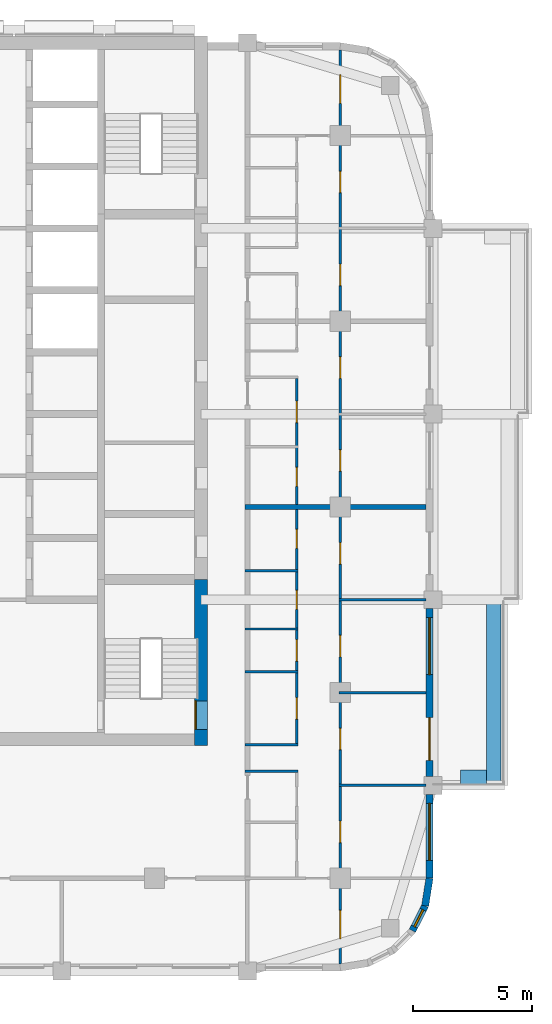
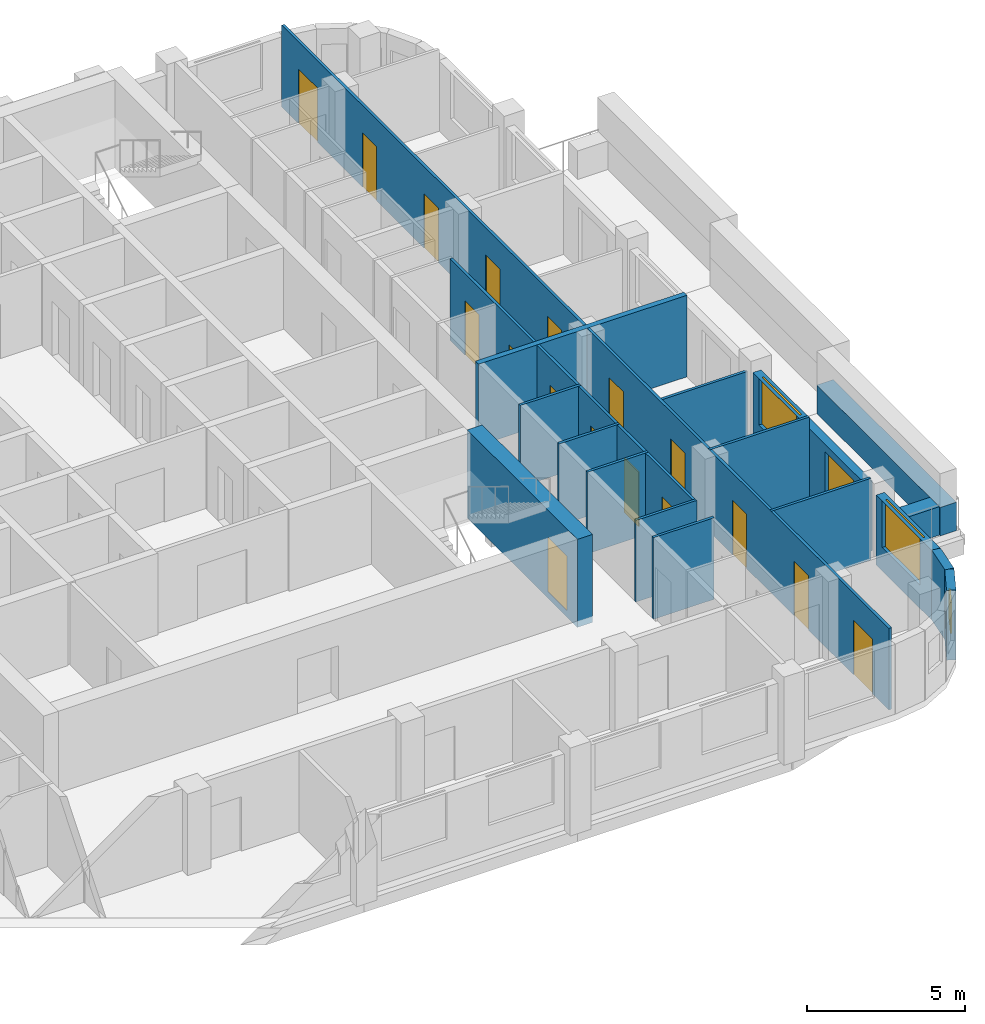
# One storey, part 6 of 13: 18 doors, 18 walls, 3 windows, 21 openings.
"""IFC4 building model written with IfcOpenShell, lengths in metres."""

from ifc_helpers import new_model, si_unit, direction, frame, frame_2d, origin, place, context, subcontext, project, spatial, rectangle, extrude, material, layer, layer_set, type_object, element, fill, save


model = new_model("IFC4")

# Units and contexts
model_context = context("Model", 3, precision=1e-05, world=origin(), true_north=direction((0.0, 1.0)))
body_context = subcontext(model_context, "Body", "Model", "MODEL_VIEW")
ifc_project = project(units=[si_unit("LENGTHUNIT", "METRE"), si_unit("AREAUNIT", "SQUARE_METRE"), si_unit("VOLUMEUNIT", "CUBIC_METRE"), si_unit("PLANEANGLEUNIT", "RADIAN"), si_unit("MASSUNIT", "GRAM", prefix="KILO")], contexts=[model_context])

# Site, building, storey
site_placement = place(None, origin())
site = spatial("IfcSite", under=ifc_project, at=site_placement, CompositionType="ELEMENT")
building_placement = place(site_placement, origin())
building = spatial("IfcBuilding", under=site, at=building_placement, Name="Ludao Terraces", CompositionType="ELEMENT")
storey_placement = place(building_placement, frame((0.0, 0.0, 152.0)))
storey = spatial("IfcBuildingStorey", under=building, at=storey_placement, Name="L41", CompositionType="ELEMENT", Elevation=152.0)

# Wall, opening, door
ifc_material_1 = material(Name="Concrete C60", Category="concrete")
ifc_layer_1 = layer(ifc_material_1, 0.550048828125)
ifc_layer_set_1 = layer_set([ifc_layer_1], Name="Core wall 550 C60")
wall_type_1 = type_object("IfcWallType", Name="Core wall 550 C60", PredefinedType="SOLIDWALL", material=ifc_layer_set_1)
wall_1_placement = place(storey_placement, frame((94.75, 54.97509765625, -0.25), z_axis=(0.0, 0.0, 1.0), x_axis=(0.0, 1.0, 0.0)))
wall_1 = element("IfcWall", 1, at=wall_1_placement, inside=storey, type_object=wall_type_1, Name="Core wall L41 outer-E-S3", PredefinedType="SOLIDWALL", context=body_context, shape_type="SweptSolid", body=[
    extrude(rectangle(XDim=6.974853515625, YDim=0.550048828125, at=frame_2d((3.4873046875, 0.0))), origin(), (0.0, 0.0, 1.0), 3.39990234375),
])
opening_1_placement = place(wall_1_placement, frame((0.675048828125, 0.0, 0.25)))
opening_1 = element("IfcOpeningElement", 2, at=opening_1_placement, cuts=wall_1, Name="Opening R14-019", PredefinedType="OPENING", context=body_context, shape_type="SweptSolid", body=[
    extrude(rectangle(XDim=1.199951171875, YDim=2.10009765625, at=frame_2d((0.60009765625, 1.050048828125))), frame((0.0, 0.28515625, 0.0), z_axis=(0.0, -1.0, 0.0), x_axis=(1.0, 0.0, 0.0)), (0.0, 0.0, 1.0), 0.570068359375),
])
ifc_material_2 = material(Name="Steel Q235", Category="steel")
door_type_1 = type_object("IfcDoorType", Name="INT Stair door 1200", OperationType="DOUBLE_DOOR_SINGLE_SWING", PredefinedType="DOOR", material=ifc_material_2)
door_1_placement = place(opening_1_placement, origin())
door_1 = element("IfcDoor", 3, at=door_1_placement, inside=storey, type_object=door_type_1, Name="DOOR 019", OperationType="DOUBLE_DOOR_SINGLE_SWING", OverallHeight=2.10009765625, OverallWidth=1.199951171875, PredefinedType="DOOR", context=body_context, shape_type="SweptSolid", body=[
    extrude(rectangle(XDim=1.199951171875, YDim=2.10009765625, at=frame_2d((0.60009765625, 1.050048828125))), frame((0.0, 0.26025390625, 0.0), z_axis=(0.0, -1.0, 0.0), x_axis=(1.0, 0.0, 0.0)), (0.0, 0.0, 1.0), 0.050048828125),
])
fill(opening_1, door_1)

# Walls
ifc_material_3 = material(Name="Concrete C40", Category="concrete")
ifc_layer_2 = layer(ifc_material_3, 0.60009765625)
ifc_layer_set_2 = layer_set([ifc_layer_2], Name="ENV Planter trough 600")
wall_type_2 = type_object("IfcWallType", Name="ENV Planter trough 600", PredefinedType="USERDEFINED", material=ifc_layer_set_2)
wall_2_placement = place(storey_placement, frame((107.050048828125, 53.300048828125, 0.0), z_axis=(0.0, 0.0, 1.0), x_axis=(0.0, 1.0, 0.0)))
element("IfcWall", 4, at=wall_2_placement, inside=storey, type_object=wall_type_2, Name="PL-L41-E1", ObjectType="PLANTER", PredefinedType="USERDEFINED", context=body_context, shape_type="SweptSolid", body=[
    extrude(rectangle(XDim=7.800048828125, YDim=0.60009765625, at=frame_2d((3.89990234375, 0.0))), origin(), (0.0, 0.0, 1.0), 1.10009765625),
])
wall_3_placement = place(storey_placement, frame((106.75, 53.64990234375, 0.0), z_axis=(0.0, 0.0, 1.0), x_axis=(-1.0, 0.0, 0.0)))
element("IfcWall", 5, at=wall_3_placement, inside=storey, type_object=wall_type_2, Name="PL-L41-E1-SA", ObjectType="PLANTER", PredefinedType="USERDEFINED", context=body_context, shape_type="SweptSolid", body=[
    extrude(rectangle(XDim=1.10009765625, YDim=0.60009765625, at=frame_2d((0.550048828125, 0.0))), origin(), (0.0, 0.0, 1.0), 1.10009765625),
])

# Wall, opening, window
ifc_material_4 = material(Name="Granite cladding", Category="masonry")
ifc_layer_3 = layer(ifc_material_4, 0.0400390625, Category="stone")
ifc_material_5 = material(Name="Mineral wool")
ifc_layer_4 = layer(ifc_material_5, 0.06005859375)
ifc_layer_5 = layer(ifc_material_3, 0.199951171875, Category="concrete")
ifc_layer_set_3 = layer_set([ifc_layer_3, ifc_layer_4, ifc_layer_5], Name="ENV Stone-clad wall 300")
wall_type_3 = type_object("IfcWallType", Name="ENV Stone-clad wall 300", PredefinedType="SOLIDWALL", material=ifc_layer_set_3)
wall_4_placement = place(storey_placement, frame((104.35009765625, 49.39990234375, 0.0), z_axis=(0.0, 0.0, 1.0), x_axis=(0.0, 1.0, 0.0)))
wall_4 = element("IfcWall", 6, at=wall_4_placement, inside=storey, type_object=wall_type_3, Name="EW-L41-E1", PredefinedType="SOLIDWALL", context=body_context, shape_type="SweptSolid", body=[
    extrude(rectangle(XDim=3.525146484375, YDim=0.300048828125, at=frame_2d((1.7626953125, 0.0))), origin(), (0.0, 0.0, 1.0), 2.699951171875),
])
opening_2_placement = place(wall_4_placement, frame((0.75, 0.0, 0.89990234375)))
opening_2 = element("IfcOpeningElement", 7, at=opening_2_placement, cuts=wall_4, Name="Opening W1", PredefinedType="OPENING", context=body_context, shape_type="SweptSolid", body=[
    extrude(rectangle(XDim=2.39990234375, YDim=1.800048828125, at=frame_2d((1.199951171875, 0.89990234375))), frame((0.0, 0.16015625, 0.0), z_axis=(0.0, -1.0, 0.0), x_axis=(1.0, 0.0, 0.0)), (0.0, 0.0, 1.0), 0.320068359375),
])
ifc_material_6 = material(Name="Clear glass in aluminium frame", Category="aluminium")
ifc_layer_6 = layer(ifc_material_6, 0.06005859375)
ifc_layer_set_4 = layer_set([ifc_layer_6], Name="ENV Window W1 2400x1800")
window_type_1 = type_object("IfcWindowType", Name="ENV Window W1 2400x1800", PartitioningType="DOUBLE_PANEL_VERTICAL", PredefinedType="WINDOW", material=ifc_layer_set_4)
window_1_placement = place(opening_2_placement, origin())
window_1 = element("IfcWindow", 8, at=window_1_placement, inside=storey, type_object=window_type_1, Name="W-L41-E1-1", OverallHeight=1.800048828125, OverallWidth=2.39990234375, PartitioningType="DOUBLE_PANEL_VERTICAL", PredefinedType="WINDOW", context=body_context, shape_type="SweptSolid", body=[
    extrude(rectangle(XDim=2.39990234375, YDim=1.800048828125, at=frame_2d((1.199951171875, 0.89990234375))), frame((0.0, 0.030029296875, 0.0), z_axis=(0.0, -1.0, 0.0), x_axis=(1.0, 0.0, 0.0)), (0.0, 0.0, 1.0), 0.06005859375),
])
fill(opening_2, window_1)

# Wall, openings, door, window
wall_5_placement = place(storey_placement, frame((104.35009765625, 53.675048828125, 0.0), z_axis=(0.0, 0.0, 1.0), x_axis=(0.0, 1.0, 0.0)))
wall_5 = element("IfcWall", 9, at=wall_5_placement, inside=storey, type_object=wall_type_3, Name="EW-L41-E2", PredefinedType="SOLIDWALL", context=body_context, shape_type="SweptSolid", body=[
    extrude(rectangle(XDim=7.050048828125, YDim=0.300048828125, at=frame_2d((3.52490234375, 0.0))), origin(), (0.0, 0.0, 1.0), 2.699951171875),
])
opening_3_placement = place(wall_5_placement, frame((0.675048828125, 0.0, 0.0)))
opening_3 = element("IfcOpeningElement", 10, at=opening_3_placement, cuts=wall_5, Name="Opening BD", PredefinedType="OPENING", context=body_context, shape_type="SweptSolid", body=[
    extrude(rectangle(XDim=1.800048828125, YDim=2.39990234375, at=frame_2d((0.89990234375, 1.199951171875))), frame((0.0, 0.16015625, 0.0), z_axis=(0.0, -1.0, 0.0), x_axis=(1.0, 0.0, 0.0)), (0.0, 0.0, 1.0), 0.320068359375),
])
opening_4_placement = place(wall_5_placement, frame((4.27490234375, 0.0, 0.89990234375)))
opening_4 = element("IfcOpeningElement", 11, at=opening_4_placement, cuts=wall_5, Name="Opening W1", PredefinedType="OPENING", context=body_context, shape_type="SweptSolid", body=[
    extrude(rectangle(XDim=2.39990234375, YDim=1.800048828125, at=frame_2d((1.199951171875, 0.89990234375))), frame((0.0, 0.16015625, 0.0), z_axis=(0.0, -1.0, 0.0), x_axis=(1.0, 0.0, 0.0)), (0.0, 0.0, 1.0), 0.320068359375),
])
ifc_material_7 = material(Name="Aluminium glazed door", Category="aluminium")
ifc_layer_7 = layer(ifc_material_7, 0.06005859375)
ifc_layer_set_5 = layer_set([ifc_layer_7], Name="ENV Balcony door BD 1800x2400")
door_type_2 = type_object("IfcDoorType", Name="ENV Balcony door BD 1800x2400", OperationType="DOUBLE_DOOR_SINGLE_SWING", PredefinedType="DOOR", material=ifc_layer_set_5)
door_2_placement = place(opening_3_placement, origin())
door_2 = element("IfcDoor", 12, at=door_2_placement, inside=storey, type_object=door_type_2, Name="BD-L41-E2-1", OperationType="DOUBLE_DOOR_SINGLE_SWING", OverallHeight=2.39990234375, OverallWidth=1.800048828125, PredefinedType="DOOR", context=body_context, shape_type="SweptSolid", body=[
    extrude(rectangle(XDim=1.800048828125, YDim=2.39990234375, at=frame_2d((0.89990234375, 1.199951171875))), frame((0.0, 0.02490234375, 0.0), z_axis=(0.0, -1.0, 0.0), x_axis=(1.0, 0.0, 0.0)), (0.0, 0.0, 1.0), 0.050048828125),
])
fill(opening_3, door_2)
window_2_placement = place(opening_4_placement, origin())
window_2 = element("IfcWindow", 13, at=window_2_placement, inside=storey, type_object=window_type_1, Name="W-L41-E2-2", OverallHeight=1.800048828125, OverallWidth=2.39990234375, PartitioningType="DOUBLE_PANEL_VERTICAL", PredefinedType="WINDOW", context=body_context, shape_type="SweptSolid", body=[
    extrude(rectangle(XDim=2.39990234375, YDim=1.800048828125, at=frame_2d((1.199951171875, 0.89990234375))), frame((0.0, 0.030029296875, 0.0), z_axis=(0.0, -1.0, 0.0), x_axis=(1.0, 0.0, 0.0)), (0.0, 0.0, 1.0), 0.06005859375),
])
fill(opening_4, window_2)

# Wall, opening, window
wall_6_placement = place(storey_placement, frame((103.6337890625, 47.19580078125, 0.0), z_axis=(0.0, 0.0, 1.0), x_axis=(0.454025524128, 0.890988677504, 0.0)))
wall_6 = element("IfcWall", 14, at=wall_6_placement, inside=storey, type_object=wall_type_3, Name="EW-L41-SE4", PredefinedType="SOLIDWALL", context=body_context, shape_type="SweptSolid", body=[
    extrude(rectangle(XDim=1.17333984375, YDim=0.300048828125, at=frame_2d((0.586669921875, 0.0))), origin(), (0.0, 0.0, 1.0), 2.699951171875),
])
opening_5_placement = place(wall_6_placement, frame((0.1865234375, 0.0, 0.89990234375)))
opening_5 = element("IfcOpeningElement", 15, at=opening_5_placement, cuts=wall_6, Name="Opening W3", PredefinedType="OPENING", context=body_context, shape_type="SweptSolid", body=[
    extrude(rectangle(XDim=0.800048828125, YDim=1.199951171875, at=frame_2d((0.39990234375, 0.60009765625))), frame((0.0, 0.16015625, 0.0), z_axis=(0.0, -1.0, 0.0), x_axis=(1.0, 0.0, 0.0)), (0.0, 0.0, 1.0), 0.320068359375),
])
ifc_layer_8 = layer(ifc_material_6, 0.06005859375)
ifc_layer_set_6 = layer_set([ifc_layer_8], Name="ENV Window W3 800x1200")
window_type_2 = type_object("IfcWindowType", Name="ENV Window W3 800x1200", PartitioningType="SINGLE_PANEL", PredefinedType="WINDOW", material=ifc_layer_set_6)
window_3_placement = place(opening_5_placement, origin())
window_3 = element("IfcWindow", 16, at=window_3_placement, inside=storey, type_object=window_type_2, Name="W-L41-SE4", OverallHeight=1.199951171875, OverallWidth=0.800048828125, PartitioningType="SINGLE_PANEL", PredefinedType="WINDOW", context=body_context, shape_type="SweptSolid", body=[
    extrude(rectangle(XDim=0.800048828125, YDim=1.199951171875, at=frame_2d((0.39990234375, 0.60009765625))), frame((0.0, 0.030029296875, 0.0), z_axis=(0.0, -1.0, 0.0), x_axis=(1.0, 0.0, 0.0)), (0.0, 0.0, 1.0), 0.06005859375),
])
fill(opening_5, window_3)

# Walls
wall_7_placement = place(storey_placement, frame((104.16650390625, 48.2412109375, 0.0), z_axis=(0.0, 0.0, 1.0), x_axis=(0.156496880861, 0.987678452879, 0.0)))
element("IfcWall", 17, at=wall_7_placement, inside=storey, type_object=wall_type_3, Name="EW-L41-SE5", PredefinedType="SOLIDWALL", context=body_context, shape_type="SweptSolid", body=[
    extrude(rectangle(XDim=1.173095703125, YDim=0.300048828125, at=frame_2d((0.58642578125, 0.0))), origin(), (0.0, 0.0, 1.0), 2.699951171875),
])
ifc_material_8 = material(Name="Gypsum plasterboard", Category="gypsum")
ifc_layer_9 = layer(ifc_material_8, 0.012451171875, Category="gypsum")
ifc_layer_10 = layer(ifc_material_5, 0.06005859375, Name="insulation")
ifc_layer_11 = layer(ifc_material_2, 0.014892578125, Name="stud")
ifc_layer_12 = layer(ifc_material_8, 0.012451171875, Category="gypsum")
ifc_layer_set_7 = layer_set([ifc_layer_9, ifc_layer_10, ifc_layer_11, ifc_layer_12], Name="INT Partition 100")
wall_type_4 = type_object("IfcWallType", Name="INT Partition 100", PredefinedType="PARTITIONING", material=ifc_layer_set_7)
wall_8_placement = place(storey_placement, frame((100.550048828125, 53.300048828125, 0.0), z_axis=(0.0, 0.0, 1.0), x_axis=(1.0, 0.0, 0.0)))
element("IfcWall", 18, at=wall_8_placement, inside=storey, type_object=wall_type_4, Name="PW-L41-PW005", PredefinedType="PARTITIONING", context=body_context, shape_type="SweptSolid", body=[
    extrude(rectangle(XDim=3.650146484375, YDim=0.10009765625, at=frame_2d((1.8251953125, 0.0))), origin(), (0.0, 0.0, 1.0), 3.14990234375),
])
for number, where, z_axis, x_axis, name in (
    (19, (96.60009765625, 53.89990234375, 0.0), (0.0, 0.0, 1.0), (1.0, 0.0, 0.0), "PW-L41-PW007"),
    (20, (96.60009765625, 55.0, 0.0), (0.0, 0.0, 1.0), (1.0, 0.0, 0.0), "PW-L41-PW008"),
):
    element("IfcWall", number, at=place(storey_placement, frame(where, z_axis=z_axis, x_axis=x_axis)), inside=storey, type_object=wall_type_4, Name=name, PredefinedType="PARTITIONING", context=body_context, shape_type="SweptSolid", body=[
        extrude(rectangle(XDim=2.219970703125, YDim=0.10009765625, at=frame_2d((1.10986328125, 0.0))), origin(), (0.0, 0.0, 1.0), 3.14990234375),
    ])
wall_9_placement = place(storey_placement, frame((100.550048828125, 57.199951171875, 0.0), z_axis=(0.0, 0.0, 1.0), x_axis=(1.0, 0.0, 0.0)))
element("IfcWall", 21, at=wall_9_placement, inside=storey, type_object=wall_type_4, Name="PW-L41-PW011", PredefinedType="PARTITIONING", context=body_context, shape_type="SweptSolid", body=[
    extrude(rectangle(XDim=3.650146484375, YDim=0.10009765625, at=frame_2d((1.8251953125, 0.0))), origin(), (0.0, 0.0, 1.0), 3.14990234375),
])
for number, where, z_axis, x_axis, name in (
    (22, (96.60009765625, 58.070068359375, 0.0), (0.0, 0.0, 1.0), (1.0, 0.0, 0.0), "PW-L41-PW012"),
    (23, (96.60009765625, 59.8701171875, 0.0), (0.0, 0.0, 1.0), (1.0, 0.0, 0.0), "PW-L41-PW015"),
):
    element("IfcWall", number, at=place(storey_placement, frame(where, z_axis=z_axis, x_axis=x_axis)), inside=storey, type_object=wall_type_4, Name=name, PredefinedType="PARTITIONING", context=body_context, shape_type="SweptSolid", body=[
        extrude(rectangle(XDim=2.219970703125, YDim=0.10009765625, at=frame_2d((1.10986328125, 0.0))), origin(), (0.0, 0.0, 1.0), 3.14990234375),
    ])
wall_10_placement = place(storey_placement, frame((100.550048828125, 61.10009765625, 0.0), z_axis=(0.0, 0.0, 1.0), x_axis=(1.0, 0.0, 0.0)))
element("IfcWall", 24, at=wall_10_placement, inside=storey, type_object=wall_type_4, Name="PW-L41-PW018", PredefinedType="PARTITIONING", context=body_context, shape_type="SweptSolid", body=[
    extrude(rectangle(XDim=3.650146484375, YDim=0.10009765625, at=frame_2d((1.8251953125, 0.0))), origin(), (0.0, 0.0, 1.0), 2.550048828125),
])
wall_11_placement = place(storey_placement, frame((96.60009765625, 62.320068359375, 0.0), z_axis=(0.0, 0.0, 1.0), x_axis=(1.0, 0.0, 0.0)))
element("IfcWall", 25, at=wall_11_placement, inside=storey, type_object=wall_type_4, Name="PW-L41-PW019", PredefinedType="PARTITIONING", context=body_context, shape_type="SweptSolid", body=[
    extrude(rectangle(XDim=2.219970703125, YDim=0.10009765625, at=frame_2d((1.10986328125, 0.0))), origin(), (0.0, 0.0, 1.0), 3.14990234375),
])

# Wall, openings, doors
wall_12_placement = place(storey_placement, frame((98.77001953125, 55.050048828125, 0.0), z_axis=(0.0, 0.0, 1.0), x_axis=(0.0, 1.0, 0.0)))
wall_12 = element("IfcWall", 26, at=wall_12_placement, inside=storey, type_object=wall_type_4, Name="PW-L41-PW061", PredefinedType="PARTITIONING", context=body_context, shape_type="SweptSolid", body=[
    extrude(rectangle(XDim=15.35009765625, YDim=0.10009765625, at=frame_2d((7.675048828125, 0.0))), origin(), (0.0, 0.0, 1.0), 3.14990234375),
])
opening_6_placement = place(wall_12_placement, frame((1.034912109375, 0.0, 0.0)))
opening_6 = element("IfcOpeningElement", 27, at=opening_6_placement, cuts=wall_12, Name="Opening R14-020", PredefinedType="OPENING", context=body_context, shape_type="SweptSolid", body=[
    extrude(rectangle(XDim=0.89990234375, YDim=2.10009765625, at=frame_2d((0.449951171875, 1.050048828125))), frame((0.0, 0.06005859375, 0.0), z_axis=(0.0, -1.0, 0.0), x_axis=(1.0, 0.0, 0.0)), (0.0, 0.0, 1.0), 0.1201171875),
])
opening_7_placement = place(wall_12_placement, frame((3.469970703125, 0.0, 0.0)))
opening_7 = element("IfcOpeningElement", 28, at=opening_7_placement, cuts=wall_12, Name="Opening R14-023", PredefinedType="OPENING", context=body_context, shape_type="SweptSolid", body=[
    extrude(rectangle(XDim=0.89990234375, YDim=2.10009765625, at=frame_2d((0.449951171875, 1.050048828125))), frame((0.0, 0.06005859375, 0.0), z_axis=(0.0, -1.0, 0.0), x_axis=(1.0, 0.0, 0.0)), (0.0, 0.0, 1.0), 0.1201171875),
])
opening_8_placement = place(wall_12_placement, frame((5.64501953125, 0.0, 0.0)))
opening_8 = element("IfcOpeningElement", 29, at=opening_8_placement, cuts=wall_12, Name="Opening R14-028", PredefinedType="OPENING", context=body_context, shape_type="SweptSolid", body=[
    extrude(rectangle(XDim=0.800048828125, YDim=2.10009765625, at=frame_2d((0.39990234375, 1.050048828125))), frame((0.0, 0.06005859375, 0.0), z_axis=(0.0, -1.0, 0.0), x_axis=(1.0, 0.0, 0.0)), (0.0, 0.0, 1.0), 0.1201171875),
])
opening_9_placement = place(wall_12_placement, frame((8.2099609375, 0.0, 0.0)))
opening_9 = element("IfcOpeningElement", 30, at=opening_9_placement, cuts=wall_12, Name="Opening R14-037", PredefinedType="OPENING", context=body_context, shape_type="SweptSolid", body=[
    extrude(rectangle(XDim=0.800048828125, YDim=2.10009765625, at=frame_2d((0.39990234375, 1.050048828125))), frame((0.0, 0.06005859375, 0.0), z_axis=(0.0, -1.0, 0.0), x_axis=(1.0, 0.0, 0.0)), (0.0, 0.0, 1.0), 0.1201171875),
])
opening_10_placement = place(wall_12_placement, frame((10.81494140625, 0.0, 0.0)))
opening_10 = element("IfcOpeningElement", 31, at=opening_10_placement, cuts=wall_12, Name="Opening R14-043", PredefinedType="OPENING", context=body_context, shape_type="SweptSolid", body=[
    extrude(rectangle(XDim=0.800048828125, YDim=2.10009765625, at=frame_2d((0.39990234375, 1.050048828125))), frame((0.0, 0.06005859375, 0.0), z_axis=(0.0, -1.0, 0.0), x_axis=(1.0, 0.0, 0.0)), (0.0, 0.0, 1.0), 0.1201171875),
])
opening_11_placement = place(wall_12_placement, frame((13.489990234375, 0.0, 0.0)))
opening_11 = element("IfcOpeningElement", 32, at=opening_11_placement, cuts=wall_12, Name="Opening R14-050", PredefinedType="OPENING", context=body_context, shape_type="SweptSolid", body=[
    extrude(rectangle(XDim=0.89990234375, YDim=2.10009765625, at=frame_2d((0.449951171875, 1.050048828125))), frame((0.0, 0.06005859375, 0.0), z_axis=(0.0, -1.0, 0.0), x_axis=(1.0, 0.0, 0.0)), (0.0, 0.0, 1.0), 0.1201171875),
])
ifc_material_9 = material(Name="Timber door leaf", Category="wood")
door_type_3 = type_object("IfcDoorType", Name="INT Bathroom door 900", OperationType="SINGLE_SWING_LEFT", PredefinedType="DOOR", material=ifc_material_9)
door_3_placement = place(opening_7_placement, origin())
door_3 = element("IfcDoor", 33, at=door_3_placement, inside=storey, type_object=door_type_3, Name="DOOR 023", OperationType="SINGLE_SWING_RIGHT", OverallHeight=2.10009765625, OverallWidth=0.89990234375, PredefinedType="DOOR", context=body_context, shape_type="SweptSolid", body=[
    extrude(rectangle(XDim=0.89990234375, YDim=2.10009765625, at=frame_2d((0.449951171875, 1.050048828125))), frame((0.0, 0.02490234375, 0.0), z_axis=(0.0, -1.0, 0.0), x_axis=(1.0, 0.0, 0.0)), (0.0, 0.0, 1.0), 0.050048828125),
])
fill(opening_7, door_3)
door_type_4 = type_object("IfcDoorType", Name="INT Room door 900", OperationType="SINGLE_SWING_LEFT", PredefinedType="DOOR", material=ifc_material_9)
door_4_placement = place(opening_6_placement, origin())
door_4 = element("IfcDoor", 34, at=door_4_placement, inside=storey, type_object=door_type_4, Name="DOOR 020", OperationType="SINGLE_SWING_RIGHT", OverallHeight=2.10009765625, OverallWidth=0.89990234375, PredefinedType="DOOR", context=body_context, shape_type="SweptSolid", body=[
    extrude(rectangle(XDim=0.89990234375, YDim=2.10009765625, at=frame_2d((0.449951171875, 1.050048828125))), frame((0.0, 0.02490234375, 0.0), z_axis=(0.0, -1.0, 0.0), x_axis=(1.0, 0.0, 0.0)), (0.0, 0.0, 1.0), 0.050048828125),
])
fill(opening_6, door_4)
door_5_placement = place(opening_11_placement, origin())
door_5 = element("IfcDoor", 35, at=door_5_placement, inside=storey, type_object=door_type_4, Name="DOOR 050", OperationType="SINGLE_SWING_LEFT", OverallHeight=2.10009765625, OverallWidth=0.89990234375, PredefinedType="DOOR", context=body_context, shape_type="SweptSolid", body=[
    extrude(rectangle(XDim=0.89990234375, YDim=2.10009765625, at=frame_2d((0.449951171875, 1.050048828125))), frame((0.0, 0.02490234375, 0.0), z_axis=(0.0, -1.0, 0.0), x_axis=(1.0, 0.0, 0.0)), (0.0, 0.0, 1.0), 0.050048828125),
])
fill(opening_11, door_5)
door_type_5 = type_object("IfcDoorType", Name="INT Store door 800", OperationType="SINGLE_SWING_LEFT", PredefinedType="DOOR", material=ifc_material_9)
door_6_placement = place(opening_8_placement, origin())
door_6 = element("IfcDoor", 36, at=door_6_placement, inside=storey, type_object=door_type_5, Name="DOOR 028", OperationType="SINGLE_SWING_RIGHT", OverallHeight=2.10009765625, OverallWidth=0.800048828125, PredefinedType="DOOR", context=body_context, shape_type="SweptSolid", body=[
    extrude(rectangle(XDim=0.800048828125, YDim=2.10009765625, at=frame_2d((0.39990234375, 1.050048828125))), frame((0.0, 0.02490234375, 0.0), z_axis=(0.0, -1.0, 0.0), x_axis=(1.0, 0.0, 0.0)), (0.0, 0.0, 1.0), 0.050048828125),
])
fill(opening_8, door_6)
door_7_placement = place(opening_9_placement, origin())
door_7 = element("IfcDoor", 37, at=door_7_placement, inside=storey, type_object=door_type_5, Name="DOOR 037", OperationType="SINGLE_SWING_LEFT", OverallHeight=2.10009765625, OverallWidth=0.800048828125, PredefinedType="DOOR", context=body_context, shape_type="SweptSolid", body=[
    extrude(rectangle(XDim=0.800048828125, YDim=2.10009765625, at=frame_2d((0.39990234375, 1.050048828125))), frame((0.0, 0.02490234375, 0.0), z_axis=(0.0, -1.0, 0.0), x_axis=(1.0, 0.0, 0.0)), (0.0, 0.0, 1.0), 0.050048828125),
])
fill(opening_9, door_7)
door_8_placement = place(opening_10_placement, origin())
door_8 = element("IfcDoor", 38, at=door_8_placement, inside=storey, type_object=door_type_5, Name="DOOR 043", OperationType="SINGLE_SWING_LEFT", OverallHeight=2.10009765625, OverallWidth=0.800048828125, PredefinedType="DOOR", context=body_context, shape_type="SweptSolid", body=[
    extrude(rectangle(XDim=0.800048828125, YDim=2.10009765625, at=frame_2d((0.39990234375, 1.050048828125))), frame((0.0, 0.02490234375, 0.0), z_axis=(0.0, -1.0, 0.0), x_axis=(1.0, 0.0, 0.0)), (0.0, 0.0, 1.0), 0.050048828125),
])
fill(opening_10, door_8)

wall_13_placement = place(storey_placement, frame((100.60009765625, 45.800048828125, 0.0), z_axis=(0.0, 0.0, 1.0), x_axis=(0.0, 1.0, 0.0)))
wall_13 = element("IfcWall", 39, at=wall_13_placement, inside=storey, type_object=wall_type_4, Name="PW-L41-PW064", PredefinedType="PARTITIONING", context=body_context, shape_type="SweptSolid", body=[
    extrude(rectangle(XDim=38.400146484375, YDim=0.10009765625, at=frame_2d((19.2001953125, 0.0))), origin(), (0.0, 0.0, 1.0), 3.14990234375),
])
opening_12_placement = place(wall_13_placement, frame((1.050048828125, 0.0, 0.0)))
opening_12 = element("IfcOpeningElement", 40, at=opening_12_placement, cuts=wall_13, Name="Opening R14-002", PredefinedType="OPENING", context=body_context, shape_type="SweptSolid", body=[
    extrude(rectangle(XDim=1.199951171875, YDim=2.10009765625, at=frame_2d((0.60009765625, 1.050048828125))), frame((0.0, 0.06005859375, 0.0), z_axis=(0.0, -1.0, 0.0), x_axis=(1.0, 0.0, 0.0)), (0.0, 0.0, 1.0), 0.1201171875),
])
opening_13_placement = place(wall_13_placement, frame((5.10009765625, 0.0, 0.0)))
opening_13 = element("IfcOpeningElement", 41, at=opening_13_placement, cuts=wall_13, Name="Opening R14-010", PredefinedType="OPENING", context=body_context, shape_type="SweptSolid", body=[
    extrude(rectangle(XDim=0.89990234375, YDim=2.10009765625, at=frame_2d((0.449951171875, 1.050048828125))), frame((0.0, 0.06005859375, 0.0), z_axis=(0.0, -1.0, 0.0), x_axis=(1.0, 0.0, 0.0)), (0.0, 0.0, 1.0), 0.1201171875),
])
opening_14_placement = place(wall_13_placement, frame((9.0, 0.0, 0.0)))
opening_14 = element("IfcOpeningElement", 42, at=opening_14_placement, cuts=wall_13, Name="Opening R14-017", PredefinedType="OPENING", context=body_context, shape_type="SweptSolid", body=[
    extrude(rectangle(XDim=0.89990234375, YDim=2.10009765625, at=frame_2d((0.449951171875, 1.050048828125))), frame((0.0, 0.06005859375, 0.0), z_axis=(0.0, -1.0, 0.0), x_axis=(1.0, 0.0, 0.0)), (0.0, 0.0, 1.0), 0.1201171875),
])
opening_15_placement = place(wall_13_placement, frame((12.89990234375, 0.0, 0.0)))
opening_15 = element("IfcOpeningElement", 43, at=opening_15_placement, cuts=wall_13, Name="Opening R14-025", PredefinedType="OPENING", context=body_context, shape_type="SweptSolid", body=[
    extrude(rectangle(XDim=0.89990234375, YDim=2.10009765625, at=frame_2d((0.449951171875, 1.050048828125))), frame((0.0, 0.06005859375, 0.0), z_axis=(0.0, -1.0, 0.0), x_axis=(1.0, 0.0, 0.0)), (0.0, 0.0, 1.0), 0.1201171875),
])
opening_16_placement = place(wall_13_placement, frame((16.800048828125, 0.0, 0.0)))
opening_16 = element("IfcOpeningElement", 44, at=opening_16_placement, cuts=wall_13, Name="Opening R14-035", PredefinedType="OPENING", context=body_context, shape_type="SweptSolid", body=[
    extrude(rectangle(XDim=0.89990234375, YDim=2.10009765625, at=frame_2d((0.449951171875, 1.050048828125))), frame((0.0, 0.06005859375, 0.0), z_axis=(0.0, -1.0, 0.0), x_axis=(1.0, 0.0, 0.0)), (0.0, 0.0, 1.0), 0.1201171875),
])
opening_17_placement = place(wall_13_placement, frame((20.699951171875, 0.0, 0.0)))
opening_17 = element("IfcOpeningElement", 45, at=opening_17_placement, cuts=wall_13, Name="Opening R14-046", PredefinedType="OPENING", context=body_context, shape_type="SweptSolid", body=[
    extrude(rectangle(XDim=0.89990234375, YDim=2.10009765625, at=frame_2d((0.449951171875, 1.050048828125))), frame((0.0, 0.06005859375, 0.0), z_axis=(0.0, -1.0, 0.0), x_axis=(1.0, 0.0, 0.0)), (0.0, 0.0, 1.0), 0.1201171875),
])
opening_18_placement = place(wall_13_placement, frame((24.60009765625, 0.0, 0.0)))
opening_18 = element("IfcOpeningElement", 46, at=opening_18_placement, cuts=wall_13, Name="Opening R14-057", PredefinedType="OPENING", context=body_context, shape_type="SweptSolid", body=[
    extrude(rectangle(XDim=0.89990234375, YDim=2.10009765625, at=frame_2d((0.449951171875, 1.050048828125))), frame((0.0, 0.06005859375, 0.0), z_axis=(0.0, -1.0, 0.0), x_axis=(1.0, 0.0, 0.0)), (0.0, 0.0, 1.0), 0.1201171875),
])
opening_19_placement = place(wall_13_placement, frame((28.5, 0.0, 0.0)))
opening_19 = element("IfcOpeningElement", 47, at=opening_19_placement, cuts=wall_13, Name="Opening R14-066", PredefinedType="OPENING", context=body_context, shape_type="SweptSolid", body=[
    extrude(rectangle(XDim=0.89990234375, YDim=2.10009765625, at=frame_2d((0.449951171875, 1.050048828125))), frame((0.0, 0.06005859375, 0.0), z_axis=(0.0, -1.0, 0.0), x_axis=(1.0, 0.0, 0.0)), (0.0, 0.0, 1.0), 0.1201171875),
])
opening_20_placement = place(wall_13_placement, frame((32.39990234375, 0.0, 0.0)))
opening_20 = element("IfcOpeningElement", 48, at=opening_20_placement, cuts=wall_13, Name="Opening R14-082", PredefinedType="OPENING", context=body_context, shape_type="SweptSolid", body=[
    extrude(rectangle(XDim=0.89990234375, YDim=2.10009765625, at=frame_2d((0.449951171875, 1.050048828125))), frame((0.0, 0.06005859375, 0.0), z_axis=(0.0, -1.0, 0.0), x_axis=(1.0, 0.0, 0.0)), (0.0, 0.0, 1.0), 0.1201171875),
])
opening_21_placement = place(wall_13_placement, frame((36.14990234375, 0.0, 0.0)))
opening_21 = element("IfcOpeningElement", 49, at=opening_21_placement, cuts=wall_13, Name="Opening R14-090", PredefinedType="OPENING", context=body_context, shape_type="SweptSolid", body=[
    extrude(rectangle(XDim=1.199951171875, YDim=2.10009765625, at=frame_2d((0.60009765625, 1.050048828125))), frame((0.0, 0.06005859375, 0.0), z_axis=(0.0, -1.0, 0.0), x_axis=(1.0, 0.0, 0.0)), (0.0, 0.0, 1.0), 0.1201171875),
])
door_type_6 = type_object("IfcDoorType", Name="INT Double door 1200", OperationType="DOUBLE_DOOR_SINGLE_SWING", PredefinedType="DOOR", material=ifc_material_9)
door_9_placement = place(opening_12_placement, origin())
door_9 = element("IfcDoor", 50, at=door_9_placement, inside=storey, type_object=door_type_6, Name="DOOR 002", OperationType="DOUBLE_DOOR_SINGLE_SWING", OverallHeight=2.10009765625, OverallWidth=1.199951171875, PredefinedType="DOOR", context=body_context, shape_type="SweptSolid", body=[
    extrude(rectangle(XDim=1.199951171875, YDim=2.10009765625, at=frame_2d((0.60009765625, 1.050048828125))), frame((0.0, 0.02490234375, 0.0), z_axis=(0.0, -1.0, 0.0), x_axis=(1.0, 0.0, 0.0)), (0.0, 0.0, 1.0), 0.050048828125),
])
fill(opening_12, door_9)
door_10_placement = place(opening_21_placement, origin())
door_10 = element("IfcDoor", 51, at=door_10_placement, inside=storey, type_object=door_type_6, Name="DOOR 090", OperationType="DOUBLE_DOOR_SINGLE_SWING", OverallHeight=2.10009765625, OverallWidth=1.199951171875, PredefinedType="DOOR", context=body_context, shape_type="SweptSolid", body=[
    extrude(rectangle(XDim=1.199951171875, YDim=2.10009765625, at=frame_2d((0.60009765625, 1.050048828125))), frame((0.0, 0.02490234375, 0.0), z_axis=(0.0, -1.0, 0.0), x_axis=(1.0, 0.0, 0.0)), (0.0, 0.0, 1.0), 0.050048828125),
])
fill(opening_21, door_10)
door_11_placement = place(opening_13_placement, origin())
door_11 = element("IfcDoor", 52, at=door_11_placement, inside=storey, type_object=door_type_4, Name="DOOR 010", OperationType="SINGLE_SWING_RIGHT", OverallHeight=2.10009765625, OverallWidth=0.89990234375, PredefinedType="DOOR", context=body_context, shape_type="SweptSolid", body=[
    extrude(rectangle(XDim=0.89990234375, YDim=2.10009765625, at=frame_2d((0.449951171875, 1.050048828125))), frame((0.0, 0.02490234375, 0.0), z_axis=(0.0, -1.0, 0.0), x_axis=(1.0, 0.0, 0.0)), (0.0, 0.0, 1.0), 0.050048828125),
])
fill(opening_13, door_11)
door_12_placement = place(opening_14_placement, origin())
door_12 = element("IfcDoor", 53, at=door_12_placement, inside=storey, type_object=door_type_4, Name="DOOR 017", OperationType="SINGLE_SWING_RIGHT", OverallHeight=2.10009765625, OverallWidth=0.89990234375, PredefinedType="DOOR", context=body_context, shape_type="SweptSolid", body=[
    extrude(rectangle(XDim=0.89990234375, YDim=2.10009765625, at=frame_2d((0.449951171875, 1.050048828125))), frame((0.0, 0.02490234375, 0.0), z_axis=(0.0, -1.0, 0.0), x_axis=(1.0, 0.0, 0.0)), (0.0, 0.0, 1.0), 0.050048828125),
])
fill(opening_14, door_12)
door_13_placement = place(opening_15_placement, origin())
door_13 = element("IfcDoor", 54, at=door_13_placement, inside=storey, type_object=door_type_4, Name="DOOR 025", OperationType="SINGLE_SWING_RIGHT", OverallHeight=2.10009765625, OverallWidth=0.89990234375, PredefinedType="DOOR", context=body_context, shape_type="SweptSolid", body=[
    extrude(rectangle(XDim=0.89990234375, YDim=2.10009765625, at=frame_2d((0.449951171875, 1.050048828125))), frame((0.0, 0.02490234375, 0.0), z_axis=(0.0, -1.0, 0.0), x_axis=(1.0, 0.0, 0.0)), (0.0, 0.0, 1.0), 0.050048828125),
])
fill(opening_15, door_13)
door_14_placement = place(opening_16_placement, origin())
door_14 = element("IfcDoor", 55, at=door_14_placement, inside=storey, type_object=door_type_4, Name="DOOR 035", OperationType="SINGLE_SWING_LEFT", OverallHeight=2.10009765625, OverallWidth=0.89990234375, PredefinedType="DOOR", context=body_context, shape_type="SweptSolid", body=[
    extrude(rectangle(XDim=0.89990234375, YDim=2.10009765625, at=frame_2d((0.449951171875, 1.050048828125))), frame((0.0, 0.02490234375, 0.0), z_axis=(0.0, -1.0, 0.0), x_axis=(1.0, 0.0, 0.0)), (0.0, 0.0, 1.0), 0.050048828125),
])
fill(opening_16, door_14)
door_15_placement = place(opening_17_placement, origin())
door_15 = element("IfcDoor", 56, at=door_15_placement, inside=storey, type_object=door_type_4, Name="DOOR 046", OperationType="SINGLE_SWING_LEFT", OverallHeight=2.10009765625, OverallWidth=0.89990234375, PredefinedType="DOOR", context=body_context, shape_type="SweptSolid", body=[
    extrude(rectangle(XDim=0.89990234375, YDim=2.10009765625, at=frame_2d((0.449951171875, 1.050048828125))), frame((0.0, 0.02490234375, 0.0), z_axis=(0.0, -1.0, 0.0), x_axis=(1.0, 0.0, 0.0)), (0.0, 0.0, 1.0), 0.050048828125),
])
fill(opening_17, door_15)
door_16_placement = place(opening_18_placement, origin())
door_16 = element("IfcDoor", 57, at=door_16_placement, inside=storey, type_object=door_type_4, Name="DOOR 057", OperationType="SINGLE_SWING_LEFT", OverallHeight=2.10009765625, OverallWidth=0.89990234375, PredefinedType="DOOR", context=body_context, shape_type="SweptSolid", body=[
    extrude(rectangle(XDim=0.89990234375, YDim=2.10009765625, at=frame_2d((0.449951171875, 1.050048828125))), frame((0.0, 0.02490234375, 0.0), z_axis=(0.0, -1.0, 0.0), x_axis=(1.0, 0.0, 0.0)), (0.0, 0.0, 1.0), 0.050048828125),
])
fill(opening_18, door_16)
door_17_placement = place(opening_19_placement, origin())
door_17 = element("IfcDoor", 58, at=door_17_placement, inside=storey, type_object=door_type_4, Name="DOOR 066", OperationType="SINGLE_SWING_LEFT", OverallHeight=2.10009765625, OverallWidth=0.89990234375, PredefinedType="DOOR", context=body_context, shape_type="SweptSolid", body=[
    extrude(rectangle(XDim=0.89990234375, YDim=2.10009765625, at=frame_2d((0.449951171875, 1.050048828125))), frame((0.0, 0.02490234375, 0.0), z_axis=(0.0, -1.0, 0.0), x_axis=(1.0, 0.0, 0.0)), (0.0, 0.0, 1.0), 0.050048828125),
])
fill(opening_19, door_17)
door_18_placement = place(opening_20_placement, origin())
door_18 = element("IfcDoor", 59, at=door_18_placement, inside=storey, type_object=door_type_4, Name="DOOR 082", OperationType="SINGLE_SWING_LEFT", OverallHeight=2.10009765625, OverallWidth=0.89990234375, PredefinedType="DOOR", context=body_context, shape_type="SweptSolid", body=[
    extrude(rectangle(XDim=0.89990234375, YDim=2.10009765625, at=frame_2d((0.449951171875, 1.050048828125))), frame((0.0, 0.02490234375, 0.0), z_axis=(0.0, -1.0, 0.0), x_axis=(1.0, 0.0, 0.0)), (0.0, 0.0, 1.0), 0.050048828125),
])
fill(opening_20, door_18)

# Wall
ifc_material_10 = material(Name="Autoclaved aerated concrete block B06 A3.5", Category="concrete")
ifc_layer_13 = layer(ifc_material_10, 0.199951171875)
ifc_layer_set_8 = layer_set([ifc_layer_13], Name="INT Party wall 200")
wall_type_5 = type_object("IfcWallType", Name="INT Party wall 200", PredefinedType="PARTITIONING", material=ifc_layer_set_8)
wall_14_placement = place(storey_placement, frame((96.60009765625, 65.0, 0.0), z_axis=(0.0, 0.0, 1.0), x_axis=(1.0, 0.0, 0.0)))
element("IfcWall", 60, at=wall_14_placement, inside=storey, type_object=wall_type_5, Name="PW-L41-PW023", PredefinedType="PARTITIONING", context=body_context, shape_type="SweptSolid", body=[
    extrude(rectangle(XDim=7.60009765625, YDim=0.199951171875, at=frame_2d((3.800048828125, 0.0))), origin(), (0.0, 0.0, 1.0), 3.14990234375),
])

save(model, "model.ifc")
